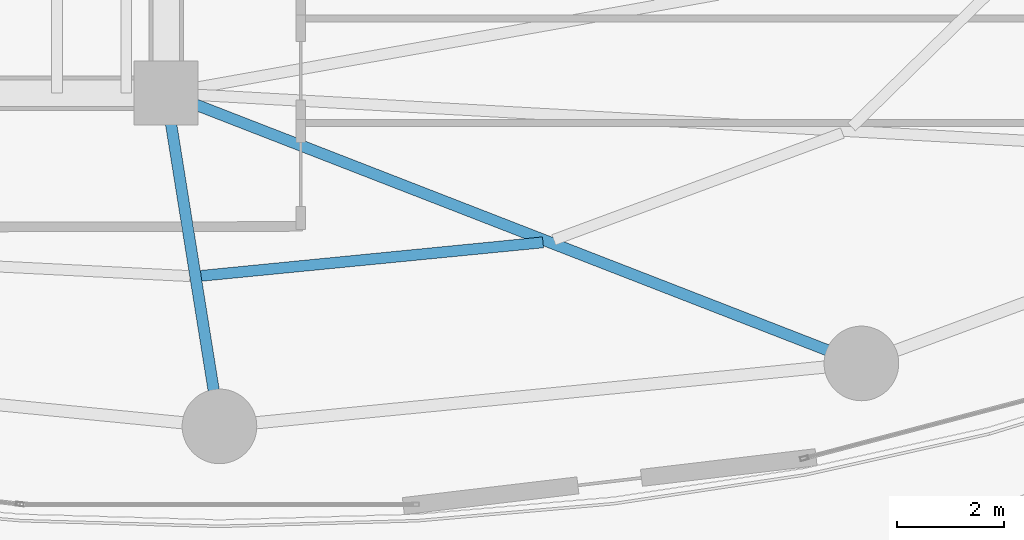
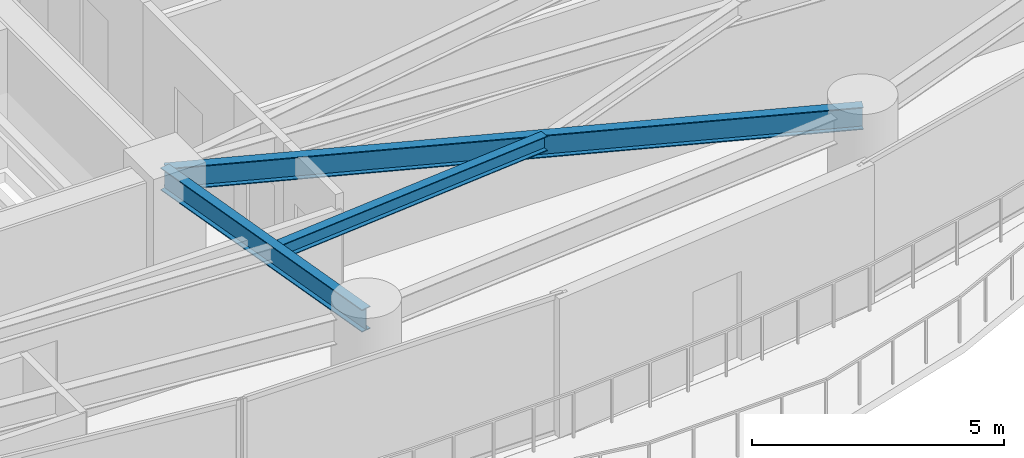
# One storey, part 11 of 30: 3 beams.
"""IFC4 building model written with IfcOpenShell, lengths in metres."""

from ifc_helpers import new_model, si_unit, direction, frame, origin, origin_2d, place, context, subcontext, project, spatial, i_section, extrude, material, material_profile, profile_set, type_object, element, save


model = new_model("IFC4")

# Units and contexts
model_context = context("Model", 3, precision=1e-05, world=origin(), true_north=direction((0.0, 1.0)))
body_context = subcontext(model_context, "Body", "Model", "MODEL_VIEW")
ifc_project = project(units=[si_unit("LENGTHUNIT", "METRE"), si_unit("AREAUNIT", "SQUARE_METRE"), si_unit("VOLUMEUNIT", "CUBIC_METRE"), si_unit("PLANEANGLEUNIT", "RADIAN"), si_unit("MASSUNIT", "GRAM", prefix="KILO")], contexts=[model_context])

# Site, building, storey
site_placement = place(None, origin())
site = spatial("IfcSite", under=ifc_project, at=site_placement, CompositionType="ELEMENT")
building_placement = place(site_placement, origin())
building = spatial("IfcBuilding", under=site, at=building_placement, Name="Kazevale Care Tower and Concert Hall", CompositionType="ELEMENT")
storey_placement = place(building_placement, frame((0.0, 0.0, 70.800048828125)))
storey = spatial("IfcBuildingStorey", under=building, at=storey_placement, Name="L18", CompositionType="ELEMENT", Elevation=70.800048828125)

# Beams
ifc_material = material(Name="Steel ASTM A572 Gr 50", Category="steel")
ifc_material_profile_1 = material_profile(ifc_material, i_section(OverallWidth=0.2119140625, OverallDepth=0.5439453125, WebThickness=0.01318359375, FlangeThickness=0.021240234375, at=origin_2d()), Name="W530x123")
ifc_profile_set_1 = profile_set([ifc_material_profile_1], Name="Steel ASTM A572 Gr 50")
beam_type_1 = type_object("IfcBeamType", Name="Radial Floor Girder W530x123", PredefinedType="BEAM", material=ifc_profile_set_1)
beam_1_placement = place(storey_placement, frame((44.0, 23.60009765625, 3.087890625), z_axis=(0.157990501107, -0.987440631917, 0.0), x_axis=(0.987440631917, 0.157990501107, 0.0)))
element("IfcBeam", 1, at=beam_1_placement, inside=storey, type_object=beam_type_1, Name="beam:L18:rad:13", PredefinedType="BEAM", context=body_context, shape_type="SweptSolid", body=[
    extrude(i_section(OverallWidth=0.2119140625, OverallDepth=0.5439453125, WebThickness=0.01318359375, FlangeThickness=0.021240234375, at=origin_2d()), origin(), (0.0, 0.0, 1.0), 6.32958984375),
])
beam_2_placement = place(storey_placement, frame((44.0, 23.60009765625, 3.087890625), z_axis=(0.932030212407, -0.362380577792, 0.0), x_axis=(0.362380577792, 0.932030212407, 0.0)))
element("IfcBeam", 2, at=beam_2_placement, inside=storey, type_object=beam_type_1, Name="beam:L18:rad:14", PredefinedType="BEAM", context=body_context, shape_type="SweptSolid", body=[
    extrude(i_section(OverallWidth=0.2119140625, OverallDepth=0.5439453125, WebThickness=0.01318359375, FlangeThickness=0.021240234375, at=origin_2d()), origin(), (0.0, 0.0, 1.0), 13.990966796875),
])
ifc_material_profile_2 = material_profile(ifc_material, i_section(OverallWidth=0.205078125, OverallDepth=0.35400390625, WebThickness=0.009521484375, FlangeThickness=0.016845703125, at=origin_2d()), Name="W360x79")
ifc_profile_set_2 = profile_set([ifc_material_profile_2], Name="Steel ASTM A572 Gr 50")
beam_type_2 = type_object("IfcBeamType", Name="Secondary Floor Joist W360x79", PredefinedType="JOIST", material=ifc_profile_set_2)
beam_3_placement = place(storey_placement, frame((44.654052734375, 20.173095703125, 3.182861328125), z_axis=(0.995242075791, 0.097433108212, 0.0), x_axis=(-0.097433108212, 0.995242075791, 0.0)))
element("IfcBeam", 3, at=beam_3_placement, inside=storey, type_object=beam_type_2, Name="beam:L18:joist:13", PredefinedType="JOIST", context=body_context, shape_type="SweptSolid", body=[
    extrude(i_section(OverallWidth=0.205078125, OverallDepth=0.35400390625, WebThickness=0.009521484375, FlangeThickness=0.016845703125, at=origin_2d()), origin(), (0.0, 0.0, 1.0), 6.44482421875),
])

save(model, "model.ifc")
